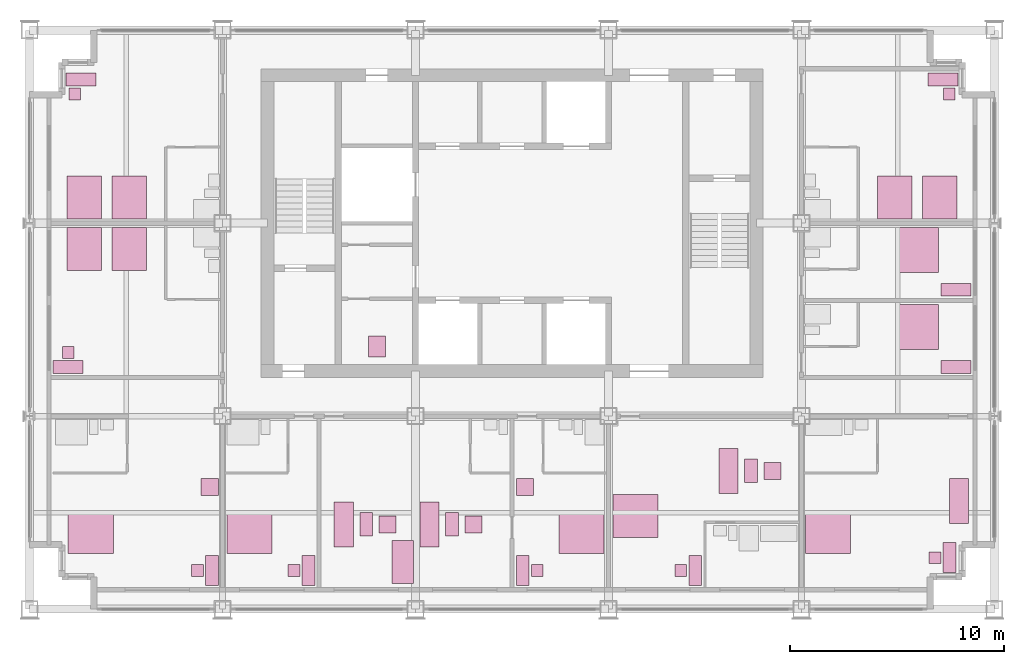
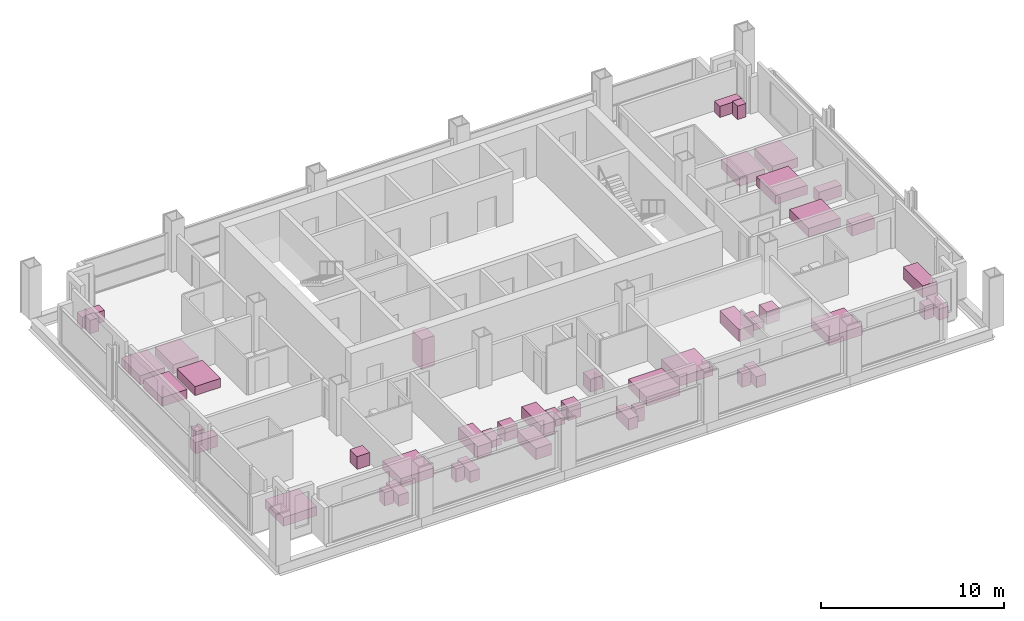
# One storey, part 13 of 13: 45 furniture elements.
"""IFC4 building model written with IfcOpenShell, lengths in metres."""

import ifcopenshell
import ifcopenshell.guid

model = None  # the IFC model being written
_history = None  # IfcOwnerHistory: only IFC2X3 demands one
_inside = {}  # id of a spatial element -> (the spatial element, [elements in it])
_under = {}  # id of a project, library or spatial element -> (it, [spatial elements below it])
_declared = {}  # id of a project -> (the project, [libraries it declares])
_typed = {}  # id of a type object -> (the type object, [elements of that type])
_made_of = {}  # id of a material, layer set ... -> (it, [elements and type objects made of it])


def new_model(schema):
    """Start an empty IFC model of exactly this schema.

    Asked for "IFC4X3", IfcOpenShell would pick the latest addendum, in which some entities
    have other attributes; the version numbers below select the first issue.
    IFC2X3 requires an IfcOwnerHistory on every rooted entity: one is made here for all.
    """
    global model, _history
    if schema == "IFC4X3":
        model = ifcopenshell.file(schema_version=(4, 3, 0, 0))
    else:
        model = ifcopenshell.file(schema=schema)
    _inside.clear()
    _under.clear()
    _declared.clear()
    _typed.clear()
    _made_of.clear()
    _history = None
    if model.schema == "IFC2X3":
        org = make("IfcOrganization", Name="unknown")
        user = make(
            "IfcPersonAndOrganization",
            ThePerson=make("IfcPerson", FamilyName="unknown"),
            TheOrganization=org,
        )
        app = make(
            "IfcApplication",
            ApplicationDeveloper=org,
            Version="unknown",
            ApplicationFullName="unknown",
            ApplicationIdentifier="unknown",
        )
        _history = make(
            "IfcOwnerHistory",
            OwningUser=user,
            OwningApplication=app,
            ChangeAction="ADDED",
            CreationDate=0,
        )
    return model


def make(cls, **values):
    """One entity of the class cls with the attributes given. An attribute that is None is left unset."""
    return model.create_entity(
        cls, **{name: value for name, value in values.items() if value is not None}
    )


def rooted(cls, **values):
    """An entity with a GlobalId (a new one), such as an element, a storey or a relation."""
    return make(cls, GlobalId=ifcopenshell.guid.new(), OwnerHistory=_history, **values)


def si_unit(unit_type, name, prefix=None):
    """IfcSIUnit, for example si_unit("LENGTHUNIT", "METRE", prefix="MILLI")."""
    return make("IfcSIUnit", UnitType=unit_type, Prefix=prefix, Name=name)


def assignment(units):
    """IfcUnitAssignment: the units of a project."""
    return None if units is None else make("IfcUnitAssignment", Units=units)


def point(xyz):
    """IfcCartesianPoint."""
    return None if xyz is None else make("IfcCartesianPoint", Coordinates=xyz)


def direction(xyz):
    """IfcDirection."""
    return None if xyz is None else make("IfcDirection", DirectionRatios=xyz)


def frame(location, z_axis=None, x_axis=None):
    """IfcAxis2Placement3D, a coordinate frame: its origin and axes. An axis left out is left unset."""
    return make(
        "IfcAxis2Placement3D",
        Location=point(location),
        Axis=direction(z_axis),
        RefDirection=direction(x_axis),
    )


def frame_2d(location, x_axis=None):
    """IfcAxis2Placement2D, a coordinate frame in the plane: its origin and x axis."""
    return make(
        "IfcAxis2Placement2D", Location=point(location), RefDirection=direction(x_axis)
    )


def origin():
    """The frame at (0, 0, 0) with its axes left unset."""
    return frame((0.0, 0.0, 0.0))


def origin_2d():
    """The frame at (0, 0) in the plane with its x axis left unset."""
    return frame_2d((0.0, 0.0))


def place(relative_to, where):
    """IfcLocalPlacement: puts the frame where relative to a parent placement (None: the world)."""
    return make(
        "IfcLocalPlacement", PlacementRelTo=relative_to, RelativePlacement=where
    )


def context(
    kind, dimensions, precision=None, world=None, true_north=None, identifier=None
):
    """IfcGeometricRepresentationContext, for example the 3D "Model" context."""
    return make(
        "IfcGeometricRepresentationContext",
        ContextIdentifier=identifier,
        ContextType=kind,
        CoordinateSpaceDimension=dimensions,
        Precision=precision,
        WorldCoordinateSystem=world,
        TrueNorth=true_north,
    )


def subcontext(parent, identifier, kind, view, scale=None):
    """IfcGeometricRepresentationSubContext, for example "Body" below "Model"."""
    return make(
        "IfcGeometricRepresentationSubContext",
        ContextIdentifier=identifier,
        ContextType=kind,
        ParentContext=parent,
        TargetScale=scale,
        TargetView=view,
    )


def project(units=None, contexts=None):
    """IfcProject with its units and contexts."""
    return rooted(
        "IfcProject",
        Name="project",
        RepresentationContexts=contexts,
        UnitsInContext=assignment(units),
    )


def spatial(cls, under=None, at=None, **own):
    """A site, building, storey or space (cls), placed at a placement, below another one or the project."""
    s = rooted(cls, ObjectPlacement=at, **own)
    if under is not None:
        _under.setdefault(under.id(), (under, []))[1].append(s)
    return s


def profile(cls, at=None, kind="AREA", **sizes):
    """A parametric profile (cls). Its sizes go by their IFC names, for example OverallWidth=200.0."""
    return make(cls, ProfileType=kind, Position=at, **sizes)


def rectangle(**sizes):
    """IfcRectangleProfileDef."""
    return profile("IfcRectangleProfileDef", **sizes)


def extrude(swept, where, along, depth):
    """IfcExtrudedAreaSolid: the profile swept, set in the frame where, extruded along a direction by depth."""
    return make(
        "IfcExtrudedAreaSolid",
        SweptArea=swept,
        Position=where,
        ExtrudedDirection=direction(along),
        Depth=depth,
    )


def shape(context_of_items, identifier, shape_type, items):
    """IfcShapeRepresentation: the items that make up one representation, for example the "Body"."""
    return make(
        "IfcShapeRepresentation",
        ContextOfItems=context_of_items,
        RepresentationIdentifier=identifier,
        RepresentationType=shape_type,
        Items=items,
    )


def made_of(thing, what):
    """Note that an element or type object is made of a material, layer set ...; save() writes the relation."""
    if what is not None:
        _made_of.setdefault(what.id(), (what, []))[1].append(thing)
    return thing


def element(
    cls,
    number,
    at=None,
    inside=None,
    cuts=None,
    type_object=None,
    material=None,
    context=None,
    identifier="Body",
    shape_type=None,
    held_by="IfcProductDefinitionShape",
    body=None,
    shapes=None,
    **own,
):
    """One element of the class cls, such as IfcWall. Its Tag is "e" and its number.

    at: its placement. inside: the storey or other place that contains it. cuts: it is an
    opening in that element (IfcRelVoidsElement). A single representation is given by context,
    identifier, shape_type and body (its items); several are given by shapes. held_by: the class
    of the entity that holds the representations. save() writes the other relations.
    """
    e = rooted(cls, Tag="e%d" % number, ObjectPlacement=at, **own)
    if body is not None:
        shapes = [shape(context, identifier, shape_type, body)]
    if shapes is not None:
        e.Representation = make(held_by, Representations=shapes)
    if inside is not None:
        _inside.setdefault(inside.id(), (inside, []))[1].append(e)
    if cuts is not None:
        rooted(
            "IfcRelVoidsElement", RelatingBuildingElement=cuts, RelatedOpeningElement=e
        )
    if type_object is not None:
        _typed.setdefault(type_object.id(), (type_object, []))[1].append(e)
    return made_of(e, material)


def aggregate(whole, parts):
    """IfcRelAggregates: a whole, such as a stair, and the parts it consists of."""
    return rooted("IfcRelAggregates", RelatingObject=whole, RelatedObjects=parts)


def save(model, path):
    """Write the relations noted so far, then the file.

    IfcRelAggregates (storeys below a building ...), IfcRelContainedInSpatialStructure (elements
    in a storey), IfcRelDefinesByType, IfcRelAssociatesMaterial and IfcRelDeclares: one each for
    every whole, place, type object, material and project.
    """
    for whole, parts in _under.values():
        aggregate(whole, parts)
    for where, things in _inside.values():
        rooted(
            "IfcRelContainedInSpatialStructure",
            RelatedElements=things,
            RelatingStructure=where,
        )
    for kind, things in _typed.values():
        rooted("IfcRelDefinesByType", RelatedObjects=things, RelatingType=kind)
    for what, things in _made_of.values():
        rooted("IfcRelAssociatesMaterial", RelatedObjects=things, RelatingMaterial=what)
    for by, libraries in _declared.values():
        rooted("IfcRelDeclares", RelatingContext=by, RelatedDefinitions=libraries)
    model.write(path)


model = new_model("IFC4")

# Units and contexts
model_context = context("Model", 3, precision=1e-05, world=origin(), true_north=direction((0.0, 1.0)))
body_context = subcontext(model_context, "Body", "Model", "MODEL_VIEW")
ifc_project = project(units=[si_unit("LENGTHUNIT", "METRE"), si_unit("AREAUNIT", "SQUARE_METRE"), si_unit("VOLUMEUNIT", "CUBIC_METRE"), si_unit("PLANEANGLEUNIT", "RADIAN"), si_unit("MASSUNIT", "GRAM", prefix="KILO")], contexts=[model_context])

# Site, building, storey
site_placement = place(None, origin())
site = spatial("IfcSite", under=ifc_project, at=site_placement, CompositionType="ELEMENT")
building_placement = place(site_placement, origin())
building = spatial("IfcBuilding", under=site, at=building_placement, Name="Loomwork Tower", CompositionType="ELEMENT")
storey_placement = place(building_placement, frame((0.0, 0.0, 201.199951171875)))
storey = spatial("IfcBuildingStorey", under=building, at=storey_placement, Name="L55", CompositionType="ELEMENT", Elevation=201.199951171875)

# Furniture
furniture_1_placement = place(storey_placement, frame((2.85009765625, 3.60009765625, 0.0), z_axis=(0.0, 0.0, 1.0), x_axis=(1.0, 0.0, 0.0)))
element("IfcFurniture", 1, at=furniture_1_placement, inside=storey, Name="King bed L55", PredefinedType="BED", context=body_context, shape_type="SweptSolid", body=[
    extrude(rectangle(XDim=2.10009765625, YDim=2.0, at=origin_2d()), origin(), (0.0, 0.0, 1.0), 0.60009765625),
])
furniture_2_placement = place(storey_placement, frame((8.5, 1.800048828125, 0.0), z_axis=(0.0, 0.0, 1.0), x_axis=(1.0, 0.0, 0.0)))
element("IfcFurniture", 2, at=furniture_2_placement, inside=storey, Name="Writing desk L55", PredefinedType="DESK", context=body_context, shape_type="SweptSolid", body=[
    extrude(rectangle(XDim=0.60009765625, YDim=1.39990234375, at=origin_2d()), origin(), (0.0, 0.0, 1.0), 0.75),
])
furniture_3_placement = place(storey_placement, frame((7.824951171875, 1.800048828125, 0.0), z_axis=(0.0, 0.0, 1.0), x_axis=(1.0, 0.0, 0.0)))
element("IfcFurniture", 3, at=furniture_3_placement, inside=storey, Name="Desk chair L55", PredefinedType="CHAIR", context=body_context, shape_type="SweptSolid", body=[
    extrude(rectangle(XDim=0.550048828125, YDim=0.550048828125, at=origin_2d()), origin(), (0.0, 0.0, 1.0), 0.89990234375),
])
furniture_4_placement = place(storey_placement, frame((8.39990234375, 5.699951171875, 0.0), z_axis=(0.0, 0.0, 1.0), x_axis=(1.0, 0.0, 0.0)))
element("IfcFurniture", 4, at=furniture_4_placement, inside=storey, Name="Lounge armchair L55", PredefinedType="CHAIR", context=body_context, shape_type="SweptSolid", body=[
    extrude(rectangle(XDim=0.800048828125, YDim=0.800048828125, at=origin_2d()), origin(), (0.0, 0.0, 1.0), 0.85009765625),
])
furniture_5_placement = place(storey_placement, frame((10.25, 3.60009765625, 0.0), z_axis=(0.0, 0.0, 1.0), x_axis=(1.0, 0.0, 0.0)))
element("IfcFurniture", 5, at=furniture_5_placement, inside=storey, Name="King bed L55", PredefinedType="BED", context=body_context, shape_type="SweptSolid", body=[
    extrude(rectangle(XDim=2.10009765625, YDim=2.0, at=origin_2d()), origin(), (0.0, 0.0, 1.0), 0.60009765625),
])
furniture_6_placement = place(storey_placement, frame((13.0, 1.800048828125, 0.0), z_axis=(0.0, 0.0, 1.0), x_axis=(1.0, 0.0, 0.0)))
element("IfcFurniture", 6, at=furniture_6_placement, inside=storey, Name="Writing desk L55", PredefinedType="DESK", context=body_context, shape_type="SweptSolid", body=[
    extrude(rectangle(XDim=0.60009765625, YDim=1.39990234375, at=origin_2d()), origin(), (0.0, 0.0, 1.0), 0.75),
])
furniture_7_placement = place(storey_placement, frame((12.324951171875, 1.800048828125, 0.0), z_axis=(0.0, 0.0, 1.0), x_axis=(1.0, 0.0, 0.0)))
element("IfcFurniture", 7, at=furniture_7_placement, inside=storey, Name="Desk chair L55", PredefinedType="CHAIR", context=body_context, shape_type="SweptSolid", body=[
    extrude(rectangle(XDim=0.550048828125, YDim=0.550048828125, at=origin_2d()), origin(), (0.0, 0.0, 1.0), 0.89990234375),
])
furniture_8_placement = place(storey_placement, frame((14.64990234375, 3.949951171875, 0.0), z_axis=(0.0, 0.0, 1.0), x_axis=(1.0, 0.0, 0.0)))
element("IfcFurniture", 8, at=furniture_8_placement, inside=storey, Name="Sofa L55", PredefinedType="SOFA", context=body_context, shape_type="SweptSolid", body=[
    extrude(rectangle(XDim=0.89990234375, YDim=2.10009765625, at=origin_2d()), origin(), (0.0, 0.0, 1.0), 0.800048828125),
])
furniture_9_placement = place(storey_placement, frame((15.699951171875, 3.949951171875, 0.0), z_axis=(0.0, 0.0, 1.0), x_axis=(1.0, 0.0, 0.0)))
element("IfcFurniture", 9, at=furniture_9_placement, inside=storey, Name="Coffee table L55", PredefinedType="TABLE", context=body_context, shape_type="SweptSolid", body=[
    extrude(rectangle(XDim=0.60009765625, YDim=1.10009765625, at=origin_2d()), origin(), (0.0, 0.0, 1.0), 0.449951171875),
])
furniture_10_placement = place(storey_placement, frame((16.699951171875, 3.949951171875, 0.0), z_axis=(0.0, 0.0, 1.0), x_axis=(1.0, 0.0, 0.0)))
element("IfcFurniture", 10, at=furniture_10_placement, inside=storey, Name="Lounge armchair L55", PredefinedType="CHAIR", context=body_context, shape_type="SweptSolid", body=[
    extrude(rectangle(XDim=0.800048828125, YDim=0.800048828125, at=origin_2d()), origin(), (0.0, 0.0, 1.0), 0.85009765625),
])
furniture_11_placement = place(storey_placement, frame((18.64990234375, 3.949951171875, 0.0), z_axis=(0.0, 0.0, 1.0), x_axis=(1.0, 0.0, 0.0)))
element("IfcFurniture", 11, at=furniture_11_placement, inside=storey, Name="Sofa L55", PredefinedType="SOFA", context=body_context, shape_type="SweptSolid", body=[
    extrude(rectangle(XDim=0.89990234375, YDim=2.10009765625, at=origin_2d()), origin(), (0.0, 0.0, 1.0), 0.800048828125),
])
furniture_12_placement = place(storey_placement, frame((19.699951171875, 3.949951171875, 0.0), z_axis=(0.0, 0.0, 1.0), x_axis=(1.0, 0.0, 0.0)))
element("IfcFurniture", 12, at=furniture_12_placement, inside=storey, Name="Coffee table L55", PredefinedType="TABLE", context=body_context, shape_type="SweptSolid", body=[
    extrude(rectangle(XDim=0.60009765625, YDim=1.10009765625, at=origin_2d()), origin(), (0.0, 0.0, 1.0), 0.449951171875),
])
furniture_13_placement = place(storey_placement, frame((20.699951171875, 3.949951171875, 0.0), z_axis=(0.0, 0.0, 1.0), x_axis=(1.0, 0.0, 0.0)))
element("IfcFurniture", 13, at=furniture_13_placement, inside=storey, Name="Lounge armchair L55", PredefinedType="CHAIR", context=body_context, shape_type="SweptSolid", body=[
    extrude(rectangle(XDim=0.800048828125, YDim=0.800048828125, at=origin_2d()), origin(), (0.0, 0.0, 1.0), 0.85009765625),
])
furniture_14_placement = place(storey_placement, frame((17.39990234375, 2.199951171875, 0.0), z_axis=(0.0, 0.0, 1.0), x_axis=(1.0, 0.0, 0.0)))
element("IfcFurniture", 14, at=furniture_14_placement, inside=storey, Name="Dining table L55", PredefinedType="TABLE", context=body_context, shape_type="SweptSolid", body=[
    extrude(rectangle(XDim=1.0, YDim=2.0, at=origin_2d()), origin(), (0.0, 0.0, 1.0), 0.75),
])
furniture_15_placement = place(storey_placement, frame((25.75, 3.60009765625, 0.0), z_axis=(0.0, 0.0, 1.0), x_axis=(1.0, 0.0, 0.0)))
element("IfcFurniture", 15, at=furniture_15_placement, inside=storey, Name="King bed L55", PredefinedType="BED", context=body_context, shape_type="SweptSolid", body=[
    extrude(rectangle(XDim=2.10009765625, YDim=2.0, at=origin_2d()), origin(), (0.0, 0.0, 1.0), 0.60009765625),
])
furniture_16_placement = place(storey_placement, frame((23.0, 1.800048828125, 0.0), z_axis=(0.0, 0.0, 1.0), x_axis=(1.0, 0.0, 0.0)))
element("IfcFurniture", 16, at=furniture_16_placement, inside=storey, Name="Writing desk L55", PredefinedType="DESK", context=body_context, shape_type="SweptSolid", body=[
    extrude(rectangle(XDim=0.60009765625, YDim=1.39990234375, at=origin_2d()), origin(), (0.0, 0.0, 1.0), 0.75),
])
furniture_17_placement = place(storey_placement, frame((23.675048828125, 1.800048828125, 0.0), z_axis=(0.0, 0.0, 1.0), x_axis=(1.0, 0.0, 0.0)))
element("IfcFurniture", 17, at=furniture_17_placement, inside=storey, Name="Desk chair L55", PredefinedType="CHAIR", context=body_context, shape_type="SweptSolid", body=[
    extrude(rectangle(XDim=0.550048828125, YDim=0.550048828125, at=origin_2d()), origin(), (0.0, 0.0, 1.0), 0.89990234375),
])
furniture_18_placement = place(storey_placement, frame((23.10009765625, 5.699951171875, 0.0), z_axis=(0.0, 0.0, 1.0), x_axis=(1.0, 0.0, 0.0)))
element("IfcFurniture", 18, at=furniture_18_placement, inside=storey, Name="Lounge armchair L55", PredefinedType="CHAIR", context=body_context, shape_type="SweptSolid", body=[
    extrude(rectangle(XDim=0.800048828125, YDim=0.800048828125, at=origin_2d()), origin(), (0.0, 0.0, 1.0), 0.85009765625),
])
furniture_19_placement = place(storey_placement, frame((28.25, 4.35009765625, 0.0), z_axis=(0.0, 0.0, 1.0), x_axis=(1.0, 0.0, 0.0)))
element("IfcFurniture", 19, at=furniture_19_placement, inside=storey, Name="King bed L55", PredefinedType="BED", context=body_context, shape_type="SweptSolid", body=[
    extrude(rectangle(XDim=2.10009765625, YDim=2.0, at=origin_2d()), origin(), (0.0, 0.0, 1.0), 0.60009765625),
])
furniture_20_placement = place(storey_placement, frame((31.050048828125, 1.800048828125, 0.0), z_axis=(0.0, 0.0, 1.0), x_axis=(1.0, 0.0, 0.0)))
element("IfcFurniture", 20, at=furniture_20_placement, inside=storey, Name="Writing desk L55", PredefinedType="DESK", context=body_context, shape_type="SweptSolid", body=[
    extrude(rectangle(XDim=0.60009765625, YDim=1.39990234375, at=origin_2d()), origin(), (0.0, 0.0, 1.0), 0.75),
])
furniture_21_placement = place(storey_placement, frame((30.375, 1.800048828125, 0.0), z_axis=(0.0, 0.0, 1.0), x_axis=(1.0, 0.0, 0.0)))
element("IfcFurniture", 21, at=furniture_21_placement, inside=storey, Name="Desk chair L55", PredefinedType="CHAIR", context=body_context, shape_type="SweptSolid", body=[
    extrude(rectangle(XDim=0.550048828125, YDim=0.550048828125, at=origin_2d()), origin(), (0.0, 0.0, 1.0), 0.89990234375),
])
furniture_22_placement = place(storey_placement, frame((32.60009765625, 6.449951171875, 0.0), z_axis=(0.0, 0.0, 1.0), x_axis=(1.0, 0.0, 0.0)))
element("IfcFurniture", 22, at=furniture_22_placement, inside=storey, Name="Sofa L55", PredefinedType="SOFA", context=body_context, shape_type="SweptSolid", body=[
    extrude(rectangle(XDim=0.89990234375, YDim=2.10009765625, at=origin_2d()), origin(), (0.0, 0.0, 1.0), 0.800048828125),
])
furniture_23_placement = place(storey_placement, frame((33.64990234375, 6.449951171875, 0.0), z_axis=(0.0, 0.0, 1.0), x_axis=(1.0, 0.0, 0.0)))
element("IfcFurniture", 23, at=furniture_23_placement, inside=storey, Name="Coffee table L55", PredefinedType="TABLE", context=body_context, shape_type="SweptSolid", body=[
    extrude(rectangle(XDim=0.60009765625, YDim=1.10009765625, at=origin_2d()), origin(), (0.0, 0.0, 1.0), 0.449951171875),
])
furniture_24_placement = place(storey_placement, frame((34.64990234375, 6.449951171875, 0.0), z_axis=(0.0, 0.0, 1.0), x_axis=(1.0, 0.0, 0.0)))
element("IfcFurniture", 24, at=furniture_24_placement, inside=storey, Name="Lounge armchair L55", PredefinedType="CHAIR", context=body_context, shape_type="SweptSolid", body=[
    extrude(rectangle(XDim=0.800048828125, YDim=0.800048828125, at=origin_2d()), origin(), (0.0, 0.0, 1.0), 0.85009765625),
])
furniture_25_placement = place(storey_placement, frame((37.25, 3.60009765625, 0.0), z_axis=(0.0, 0.0, 1.0), x_axis=(1.0, 0.0, 0.0)))
element("IfcFurniture", 25, at=furniture_25_placement, inside=storey, Name="King bed L55", PredefinedType="BED", context=body_context, shape_type="SweptSolid", body=[
    extrude(rectangle(XDim=2.10009765625, YDim=2.0, at=origin_2d()), origin(), (0.0, 0.0, 1.0), 0.60009765625),
])
furniture_26_placement = place(storey_placement, frame((42.89990234375, 2.39990234375, 0.0), z_axis=(0.0, 0.0, 1.0), x_axis=(1.0, 0.0, 0.0)))
element("IfcFurniture", 26, at=furniture_26_placement, inside=storey, Name="Writing desk L55", PredefinedType="DESK", context=body_context, shape_type="SweptSolid", body=[
    extrude(rectangle(XDim=0.60009765625, YDim=1.39990234375, at=origin_2d()), origin(), (0.0, 0.0, 1.0), 0.75),
])
furniture_27_placement = place(storey_placement, frame((42.22509765625, 2.39990234375, 0.0), z_axis=(0.0, 0.0, 1.0), x_axis=(1.0, 0.0, 0.0)))
element("IfcFurniture", 27, at=furniture_27_placement, inside=storey, Name="Desk chair L55", PredefinedType="CHAIR", context=body_context, shape_type="SweptSolid", body=[
    extrude(rectangle(XDim=0.550048828125, YDim=0.550048828125, at=origin_2d()), origin(), (0.0, 0.0, 1.0), 0.89990234375),
])
furniture_28_placement = place(storey_placement, frame((43.35009765625, 5.050048828125, 0.0), z_axis=(0.0, 0.0, 1.0), x_axis=(1.0, 0.0, 0.0)))
element("IfcFurniture", 28, at=furniture_28_placement, inside=storey, Name="Sofa L55", PredefinedType="SOFA", context=body_context, shape_type="SweptSolid", body=[
    extrude(rectangle(XDim=0.89990234375, YDim=2.10009765625, at=origin_2d()), origin(), (0.0, 0.0, 1.0), 0.800048828125),
])
for number, where, z_axis, x_axis, name in (
    (29, (4.64990234375, 16.800048828125, 0.0), (0.0, 0.0, 1.0), (1.0, 0.0, 0.0), "Queen bed L55"),
    (30, (2.550048828125, 16.800048828125, 0.0), (0.0, 0.0, 1.0), (1.0, 0.0, 0.0), "Queen bed L55"),
):
    element("IfcFurniture", number, at=place(storey_placement, frame(where, z_axis=z_axis, x_axis=x_axis)), inside=storey, Name=name, PredefinedType="BED", context=body_context, shape_type="SweptSolid", body=[
        extrude(rectangle(XDim=1.60009765625, YDim=2.0, at=origin_2d()), origin(), (0.0, 0.0, 1.0), 0.60009765625),
    ])
furniture_29_placement = place(storey_placement, frame((1.800048828125, 11.300048828125, 0.0), z_axis=(0.0, 0.0, 1.0), x_axis=(1.0, 0.0, 0.0)))
element("IfcFurniture", 31, at=furniture_29_placement, inside=storey, Name="Writing desk L55", PredefinedType="DESK", context=body_context, shape_type="SweptSolid", body=[
    extrude(rectangle(XDim=1.39990234375, YDim=0.60009765625, at=origin_2d()), origin(), (0.0, 0.0, 1.0), 0.75),
])
furniture_30_placement = place(storey_placement, frame((1.800048828125, 11.97509765625, 0.0), z_axis=(0.0, 0.0, 1.0), x_axis=(1.0, 0.0, 0.0)))
element("IfcFurniture", 32, at=furniture_30_placement, inside=storey, Name="Desk chair L55", PredefinedType="CHAIR", context=body_context, shape_type="SweptSolid", body=[
    extrude(rectangle(XDim=0.550048828125, YDim=0.550048828125, at=origin_2d()), origin(), (0.0, 0.0, 1.0), 0.89990234375),
])
for number, where, z_axis, x_axis, name in (
    (33, (4.64990234375, 19.199951171875, 0.0), (0.0, 0.0, 1.0), (1.0, 0.0, 0.0), "Queen bed L55"),
    (34, (2.550048828125, 19.199951171875, 0.0), (0.0, 0.0, 1.0), (1.0, 0.0, 0.0), "Queen bed L55"),
):
    element("IfcFurniture", number, at=place(storey_placement, frame(where, z_axis=z_axis, x_axis=x_axis)), inside=storey, Name=name, PredefinedType="BED", context=body_context, shape_type="SweptSolid", body=[
        extrude(rectangle(XDim=1.60009765625, YDim=2.0, at=origin_2d()), origin(), (0.0, 0.0, 1.0), 0.60009765625),
    ])
furniture_31_placement = place(storey_placement, frame((2.39990234375, 24.699951171875, 0.0), z_axis=(0.0, 0.0, 1.0), x_axis=(1.0, 0.0, 0.0)))
element("IfcFurniture", 35, at=furniture_31_placement, inside=storey, Name="Writing desk L55", PredefinedType="DESK", context=body_context, shape_type="SweptSolid", body=[
    extrude(rectangle(XDim=1.39990234375, YDim=0.60009765625, at=origin_2d()), origin(), (0.0, 0.0, 1.0), 0.75),
])
furniture_32_placement = place(storey_placement, frame((2.10009765625, 24.02490234375, 0.0), z_axis=(0.0, 0.0, 1.0), x_axis=(1.0, 0.0, 0.0)))
element("IfcFurniture", 36, at=furniture_32_placement, inside=storey, Name="Desk chair L55", PredefinedType="CHAIR", context=body_context, shape_type="SweptSolid", body=[
    extrude(rectangle(XDim=0.550048828125, YDim=0.550048828125, at=origin_2d()), origin(), (0.0, 0.0, 1.0), 0.89990234375),
])
furniture_33_placement = place(storey_placement, frame((41.39990234375, 13.14990234375, 0.0), z_axis=(0.0, 0.0, 1.0), x_axis=(1.0, 0.0, 0.0)))
element("IfcFurniture", 37, at=furniture_33_placement, inside=storey, Name="King bed L55", PredefinedType="BED", context=body_context, shape_type="SweptSolid", body=[
    extrude(rectangle(XDim=2.0, YDim=2.10009765625, at=origin_2d()), origin(), (0.0, 0.0, 1.0), 0.60009765625),
])
furniture_34_placement = place(storey_placement, frame((43.199951171875, 11.300048828125, 0.0), z_axis=(0.0, 0.0, 1.0), x_axis=(1.0, 0.0, 0.0)))
element("IfcFurniture", 38, at=furniture_34_placement, inside=storey, Name="Writing desk L55", PredefinedType="DESK", context=body_context, shape_type="SweptSolid", body=[
    extrude(rectangle(XDim=1.39990234375, YDim=0.60009765625, at=origin_2d()), origin(), (0.0, 0.0, 1.0), 0.75),
])
furniture_35_placement = place(storey_placement, frame((41.39990234375, 16.75, 0.0), z_axis=(0.0, 0.0, 1.0), x_axis=(1.0, 0.0, 0.0)))
element("IfcFurniture", 39, at=furniture_35_placement, inside=storey, Name="King bed L55", PredefinedType="BED", context=body_context, shape_type="SweptSolid", body=[
    extrude(rectangle(XDim=2.0, YDim=2.10009765625, at=origin_2d()), origin(), (0.0, 0.0, 1.0), 0.60009765625),
])
furniture_36_placement = place(storey_placement, frame((43.199951171875, 14.89990234375, 0.0), z_axis=(0.0, 0.0, 1.0), x_axis=(1.0, 0.0, 0.0)))
element("IfcFurniture", 40, at=furniture_36_placement, inside=storey, Name="Writing desk L55", PredefinedType="DESK", context=body_context, shape_type="SweptSolid", body=[
    extrude(rectangle(XDim=1.39990234375, YDim=0.60009765625, at=origin_2d()), origin(), (0.0, 0.0, 1.0), 0.75),
])
for number, where, z_axis, x_axis, name in (
    (41, (40.35009765625, 19.199951171875, 0.0), (0.0, 0.0, 1.0), (1.0, 0.0, 0.0), "Queen bed L55"),
    (42, (42.449951171875, 19.199951171875, 0.0), (0.0, 0.0, 1.0), (1.0, 0.0, 0.0), "Queen bed L55"),
):
    element("IfcFurniture", number, at=place(storey_placement, frame(where, z_axis=z_axis, x_axis=x_axis)), inside=storey, Name=name, PredefinedType="BED", context=body_context, shape_type="SweptSolid", body=[
        extrude(rectangle(XDim=1.60009765625, YDim=2.0, at=origin_2d()), origin(), (0.0, 0.0, 1.0), 0.60009765625),
    ])
furniture_37_placement = place(storey_placement, frame((42.60009765625, 24.699951171875, 0.0), z_axis=(0.0, 0.0, 1.0), x_axis=(1.0, 0.0, 0.0)))
element("IfcFurniture", 43, at=furniture_37_placement, inside=storey, Name="Writing desk L55", PredefinedType="DESK", context=body_context, shape_type="SweptSolid", body=[
    extrude(rectangle(XDim=1.39990234375, YDim=0.60009765625, at=origin_2d()), origin(), (0.0, 0.0, 1.0), 0.75),
])
furniture_38_placement = place(storey_placement, frame((42.89990234375, 24.02490234375, 0.0), z_axis=(0.0, 0.0, 1.0), x_axis=(1.0, 0.0, 0.0)))
element("IfcFurniture", 44, at=furniture_38_placement, inside=storey, Name="Desk chair L55", PredefinedType="CHAIR", context=body_context, shape_type="SweptSolid", body=[
    extrude(rectangle(XDim=0.550048828125, YDim=0.550048828125, at=origin_2d()), origin(), (0.0, 0.0, 1.0), 0.89990234375),
])
furniture_39_placement = place(storey_placement, frame((16.199951171875, 12.25, 0.0), z_axis=(0.0, 0.0, 1.0), x_axis=(1.0, 0.0, 0.0)))
element("IfcFurniture", 45, at=furniture_39_placement, inside=storey, Name="Data cabinet L55", ObjectType="DATA CABINET", PredefinedType="USERDEFINED", context=body_context, shape_type="SweptSolid", body=[
    extrude(rectangle(XDim=0.800048828125, YDim=1.0, at=origin_2d()), origin(), (0.0, 0.0, 1.0), 2.0),
])

save(model, "model.ifc")
